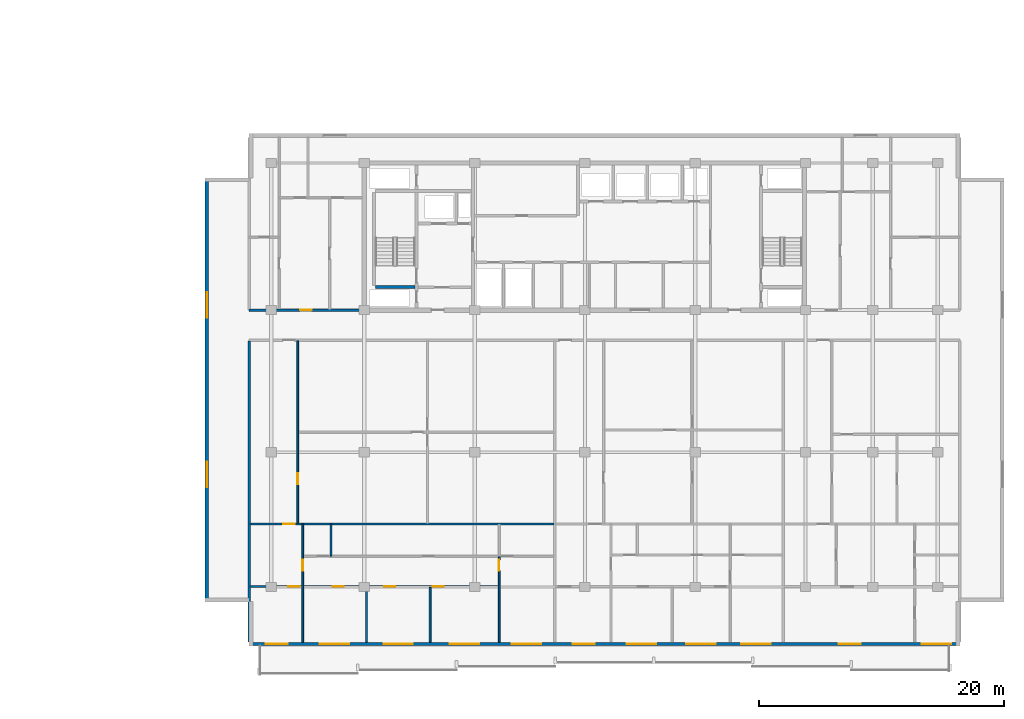
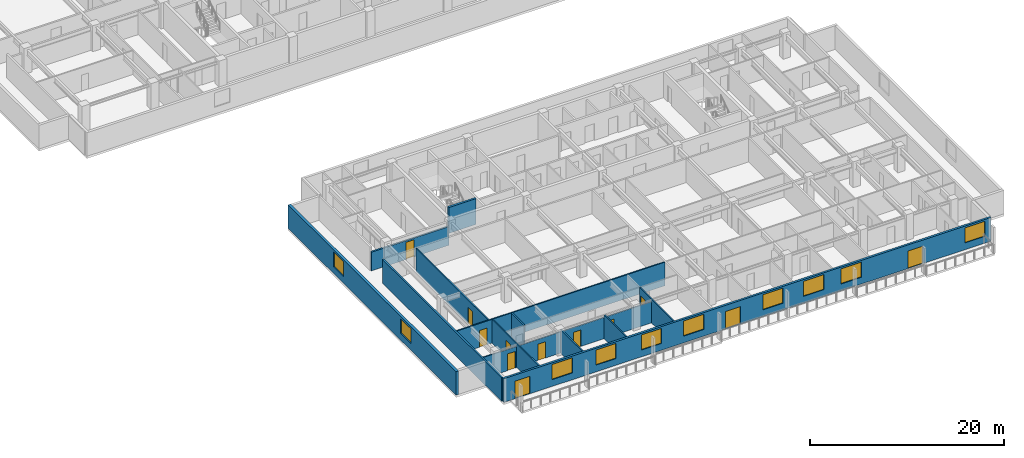
# One storey, part 4 of 22: 13 walls, 12 doors, 10 windows, 22 openings.
"""IFC4 building model written with IfcOpenShell, lengths in metres."""

import ifcopenshell
import ifcopenshell.guid

model = None  # the IFC model being written
_history = None  # IfcOwnerHistory: only IFC2X3 demands one
_inside = {}  # id of a spatial element -> (the spatial element, [elements in it])
_under = {}  # id of a project, library or spatial element -> (it, [spatial elements below it])
_declared = {}  # id of a project -> (the project, [libraries it declares])
_typed = {}  # id of a type object -> (the type object, [elements of that type])
_made_of = {}  # id of a material, layer set ... -> (it, [elements and type objects made of it])


def new_model(schema):
    """Start an empty IFC model of exactly this schema.

    Asked for "IFC4X3", IfcOpenShell would pick the latest addendum, in which some entities
    have other attributes; the version numbers below select the first issue.
    IFC2X3 requires an IfcOwnerHistory on every rooted entity: one is made here for all.
    """
    global model, _history
    if schema == "IFC4X3":
        model = ifcopenshell.file(schema_version=(4, 3, 0, 0))
    else:
        model = ifcopenshell.file(schema=schema)
    _inside.clear()
    _under.clear()
    _declared.clear()
    _typed.clear()
    _made_of.clear()
    _history = None
    if model.schema == "IFC2X3":
        org = make("IfcOrganization", Name="unknown")
        user = make(
            "IfcPersonAndOrganization",
            ThePerson=make("IfcPerson", FamilyName="unknown"),
            TheOrganization=org,
        )
        app = make(
            "IfcApplication",
            ApplicationDeveloper=org,
            Version="unknown",
            ApplicationFullName="unknown",
            ApplicationIdentifier="unknown",
        )
        _history = make(
            "IfcOwnerHistory",
            OwningUser=user,
            OwningApplication=app,
            ChangeAction="ADDED",
            CreationDate=0,
        )
    return model


def make(cls, **values):
    """One entity of the class cls with the attributes given. An attribute that is None is left unset."""
    return model.create_entity(
        cls, **{name: value for name, value in values.items() if value is not None}
    )


def rooted(cls, **values):
    """An entity with a GlobalId (a new one), such as an element, a storey or a relation."""
    return make(cls, GlobalId=ifcopenshell.guid.new(), OwnerHistory=_history, **values)


def si_unit(unit_type, name, prefix=None):
    """IfcSIUnit, for example si_unit("LENGTHUNIT", "METRE", prefix="MILLI")."""
    return make("IfcSIUnit", UnitType=unit_type, Prefix=prefix, Name=name)


def assignment(units):
    """IfcUnitAssignment: the units of a project."""
    return None if units is None else make("IfcUnitAssignment", Units=units)


def point(xyz):
    """IfcCartesianPoint."""
    return None if xyz is None else make("IfcCartesianPoint", Coordinates=xyz)


def direction(xyz):
    """IfcDirection."""
    return None if xyz is None else make("IfcDirection", DirectionRatios=xyz)


def frame(location, z_axis=None, x_axis=None):
    """IfcAxis2Placement3D, a coordinate frame: its origin and axes. An axis left out is left unset."""
    return make(
        "IfcAxis2Placement3D",
        Location=point(location),
        Axis=direction(z_axis),
        RefDirection=direction(x_axis),
    )


def frame_2d(location, x_axis=None):
    """IfcAxis2Placement2D, a coordinate frame in the plane: its origin and x axis."""
    return make(
        "IfcAxis2Placement2D", Location=point(location), RefDirection=direction(x_axis)
    )


def origin():
    """The frame at (0, 0, 0) with its axes left unset."""
    return frame((0.0, 0.0, 0.0))


def place(relative_to, where):
    """IfcLocalPlacement: puts the frame where relative to a parent placement (None: the world)."""
    return make(
        "IfcLocalPlacement", PlacementRelTo=relative_to, RelativePlacement=where
    )


def context(
    kind, dimensions, precision=None, world=None, true_north=None, identifier=None
):
    """IfcGeometricRepresentationContext, for example the 3D "Model" context."""
    return make(
        "IfcGeometricRepresentationContext",
        ContextIdentifier=identifier,
        ContextType=kind,
        CoordinateSpaceDimension=dimensions,
        Precision=precision,
        WorldCoordinateSystem=world,
        TrueNorth=true_north,
    )


def subcontext(parent, identifier, kind, view, scale=None):
    """IfcGeometricRepresentationSubContext, for example "Body" below "Model"."""
    return make(
        "IfcGeometricRepresentationSubContext",
        ContextIdentifier=identifier,
        ContextType=kind,
        ParentContext=parent,
        TargetScale=scale,
        TargetView=view,
    )


def project(units=None, contexts=None):
    """IfcProject with its units and contexts."""
    return rooted(
        "IfcProject",
        Name="project",
        RepresentationContexts=contexts,
        UnitsInContext=assignment(units),
    )


def spatial(cls, under=None, at=None, **own):
    """A site, building, storey or space (cls), placed at a placement, below another one or the project."""
    s = rooted(cls, ObjectPlacement=at, **own)
    if under is not None:
        _under.setdefault(under.id(), (under, []))[1].append(s)
    return s


def profile(cls, at=None, kind="AREA", **sizes):
    """A parametric profile (cls). Its sizes go by their IFC names, for example OverallWidth=200.0."""
    return make(cls, ProfileType=kind, Position=at, **sizes)


def rectangle(**sizes):
    """IfcRectangleProfileDef."""
    return profile("IfcRectangleProfileDef", **sizes)


def extrude(swept, where, along, depth):
    """IfcExtrudedAreaSolid: the profile swept, set in the frame where, extruded along a direction by depth."""
    return make(
        "IfcExtrudedAreaSolid",
        SweptArea=swept,
        Position=where,
        ExtrudedDirection=direction(along),
        Depth=depth,
    )


def shape(context_of_items, identifier, shape_type, items):
    """IfcShapeRepresentation: the items that make up one representation, for example the "Body"."""
    return make(
        "IfcShapeRepresentation",
        ContextOfItems=context_of_items,
        RepresentationIdentifier=identifier,
        RepresentationType=shape_type,
        Items=items,
    )


def material(Name=None, Category=None):
    """IfcMaterial."""
    return make("IfcMaterial", Name=Name, Category=Category)


def layer(
    of_material, thickness, ventilated=None, Name=None, Category=None, Priority=None
):
    """IfcMaterialLayer: one layer of a wall or slab, of a material (None: an air gap)."""
    return make(
        "IfcMaterialLayer",
        Material=of_material,
        LayerThickness=thickness,
        IsVentilated=ventilated,
        Name=Name,
        Category=Category,
        Priority=Priority,
    )


def layer_set(layers, Name=None):
    """IfcMaterialLayerSet."""
    return make("IfcMaterialLayerSet", MaterialLayers=layers, LayerSetName=Name)


def made_of(thing, what):
    """Note that an element or type object is made of a material, layer set ...; save() writes the relation."""
    if what is not None:
        _made_of.setdefault(what.id(), (what, []))[1].append(thing)
    return thing


def type_object(cls, material=None, **own):
    """A type object (cls), such as IfcWallType, which elements share."""
    return made_of(rooted(cls, **own), material)


def element(
    cls,
    number,
    at=None,
    inside=None,
    cuts=None,
    type_object=None,
    material=None,
    context=None,
    identifier="Body",
    shape_type=None,
    held_by="IfcProductDefinitionShape",
    body=None,
    shapes=None,
    **own,
):
    """One element of the class cls, such as IfcWall. Its Tag is "e" and its number.

    at: its placement. inside: the storey or other place that contains it. cuts: it is an
    opening in that element (IfcRelVoidsElement). A single representation is given by context,
    identifier, shape_type and body (its items); several are given by shapes. held_by: the class
    of the entity that holds the representations. save() writes the other relations.
    """
    e = rooted(cls, Tag="e%d" % number, ObjectPlacement=at, **own)
    if body is not None:
        shapes = [shape(context, identifier, shape_type, body)]
    if shapes is not None:
        e.Representation = make(held_by, Representations=shapes)
    if inside is not None:
        _inside.setdefault(inside.id(), (inside, []))[1].append(e)
    if cuts is not None:
        rooted(
            "IfcRelVoidsElement", RelatingBuildingElement=cuts, RelatedOpeningElement=e
        )
    if type_object is not None:
        _typed.setdefault(type_object.id(), (type_object, []))[1].append(e)
    return made_of(e, material)


def fill(opening, filler):
    """IfcRelFillsElement: the door or window that sits in an opening."""
    return rooted(
        "IfcRelFillsElement",
        RelatingOpeningElement=opening,
        RelatedBuildingElement=filler,
    )


def aggregate(whole, parts):
    """IfcRelAggregates: a whole, such as a stair, and the parts it consists of."""
    return rooted("IfcRelAggregates", RelatingObject=whole, RelatedObjects=parts)


def save(model, path):
    """Write the relations noted so far, then the file.

    IfcRelAggregates (storeys below a building ...), IfcRelContainedInSpatialStructure (elements
    in a storey), IfcRelDefinesByType, IfcRelAssociatesMaterial and IfcRelDeclares: one each for
    every whole, place, type object, material and project.
    """
    for whole, parts in _under.values():
        aggregate(whole, parts)
    for where, things in _inside.values():
        rooted(
            "IfcRelContainedInSpatialStructure",
            RelatedElements=things,
            RelatingStructure=where,
        )
    for kind, things in _typed.values():
        rooted("IfcRelDefinesByType", RelatedObjects=things, RelatingType=kind)
    for what, things in _made_of.values():
        rooted("IfcRelAssociatesMaterial", RelatedObjects=things, RelatingMaterial=what)
    for by, libraries in _declared.values():
        rooted("IfcRelDeclares", RelatingContext=by, RelatedDefinitions=libraries)
    model.write(path)


model = new_model("IFC4")

# Units and contexts
model_context = context("Model", 3, precision=1e-05, world=origin(), true_north=direction((0.0, 1.0)))
body_context = subcontext(model_context, "Body", "Model", "MODEL_VIEW")
ifc_project = project(units=[si_unit("LENGTHUNIT", "METRE"), si_unit("AREAUNIT", "SQUARE_METRE"), si_unit("VOLUMEUNIT", "CUBIC_METRE"), si_unit("PLANEANGLEUNIT", "RADIAN"), si_unit("MASSUNIT", "GRAM", prefix="KILO")], contexts=[model_context])

# Site, building, storey
site_placement = place(None, origin())
site = spatial("IfcSite", under=ifc_project, at=site_placement, CompositionType="ELEMENT")
building_placement = place(site_placement, origin())
building = spatial("IfcBuilding", under=site, at=building_placement, Name="Korimba Cascade Residences", CompositionType="ELEMENT")
storey_placement = place(building_placement, frame((0.0, 0.0, 126.300048828125)))
storey = spatial("IfcBuildingStorey", under=building, at=storey_placement, Name="L36", CompositionType="ELEMENT", Elevation=126.300048828125)

# Wall, openings, doors, windows
ifc_material_1 = material(Name="Precast concrete C40/50", Category="concrete")
ifc_layer_1 = layer(ifc_material_1, 0.25)
ifc_layer_set_1 = layer_set([ifc_layer_1], Name="Precast concrete C40/50")
wall_type_1 = type_object("IfcWallType", Name="EW-LOG-250", PredefinedType="STANDARD", material=ifc_layer_set_1)
wall_1_placement = place(storey_placement, frame((72.699951171875, -8.85009765625, 0.0), z_axis=(0.0, 0.0, 1.0), x_axis=(1.0, 0.0, 0.0)))
wall_1 = element("IfcWall", 1, at=wall_1_placement, inside=storey, type_object=wall_type_1, Name="L36 T2 Perimeter Stone Wall E00", PredefinedType="STANDARD", context=body_context, shape_type="SweptSolid", body=[
    extrude(rectangle(XDim=58.0, YDim=0.25, at=frame_2d((29.0, 0.0))), origin(), (0.0, 0.0, 1.0), 2.969970703125),
])
opening_1_placement = place(wall_1_placement, frame((5.77001953125, 0.0, 0.85009765625)))
opening_1 = element("IfcOpeningElement", 2, at=opening_1_placement, cuts=wall_1, Name="Opening W-01", PredefinedType="OPENING", context=body_context, shape_type="SweptSolid", body=[
    extrude(rectangle(XDim=2.39990234375, YDim=1.89990234375, at=frame_2d((1.199951171875, 0.949951171875))), frame((0.0, 0.135009765625, 0.0), z_axis=(0.0, -1.0, 0.0), x_axis=(1.0, 0.0, 0.0)), (0.0, 0.0, 1.0), 0.27001953125),
])
opening_2_placement = place(wall_1_placement, frame((10.969970703125, 0.0, 0.85009765625)))
opening_2 = element("IfcOpeningElement", 3, at=opening_2_placement, cuts=wall_1, Name="Opening W-01", PredefinedType="OPENING", context=body_context, shape_type="SweptSolid", body=[
    extrude(rectangle(XDim=2.39990234375, YDim=1.89990234375, at=frame_2d((1.199951171875, 0.949951171875))), frame((0.0, 0.135009765625, 0.0), z_axis=(0.0, -1.0, 0.0), x_axis=(1.0, 0.0, 0.0)), (0.0, 0.0, 1.0), 0.27001953125),
])
opening_3_placement = place(wall_1_placement, frame((16.38720703125, 0.0, 0.85009765625)))
opening_3 = element("IfcOpeningElement", 4, at=opening_3_placement, cuts=wall_1, Name="Opening W-01", PredefinedType="OPENING", context=body_context, shape_type="SweptSolid", body=[
    extrude(rectangle(XDim=2.39990234375, YDim=1.89990234375, at=frame_2d((1.199951171875, 0.949951171875))), frame((0.0, 0.135009765625, 0.0), z_axis=(0.0, -1.0, 0.0), x_axis=(1.0, 0.0, 0.0)), (0.0, 0.0, 1.0), 0.27001953125),
])
opening_4_placement = place(wall_1_placement, frame((1.344970703125, 0.0, 0.0)))
opening_4 = element("IfcOpeningElement", 5, at=opening_4_placement, cuts=wall_1, Name="Opening D-LG1", PredefinedType="OPENING", context=body_context, shape_type="SweptSolid", body=[
    extrude(rectangle(XDim=1.800048828125, YDim=2.199951171875, at=frame_2d((0.89990234375, 1.10009765625))), frame((0.0, 0.135009765625, 0.0), z_axis=(0.0, -1.0, 0.0), x_axis=(1.0, 0.0, 0.0)), (0.0, 0.0, 1.0), 0.27001953125),
])
opening_5_placement = place(wall_1_placement, frame((21.41943359375, 0.0, 0.85009765625)))
opening_5 = element("IfcOpeningElement", 6, at=opening_5_placement, cuts=wall_1, Name="Opening W-01", PredefinedType="OPENING", context=body_context, shape_type="SweptSolid", body=[
    extrude(rectangle(XDim=2.39990234375, YDim=1.89990234375, at=frame_2d((1.199951171875, 0.949951171875))), frame((0.0, 0.135009765625, 0.0), z_axis=(0.0, -1.0, 0.0), x_axis=(1.0, 0.0, 0.0)), (0.0, 0.0, 1.0), 0.27001953125),
])
opening_6_placement = place(wall_1_placement, frame((30.8271484375, 0.0, 0.85009765625)))
opening_6 = element("IfcOpeningElement", 7, at=opening_6_placement, cuts=wall_1, Name="Opening W-01", PredefinedType="OPENING", context=body_context, shape_type="SweptSolid", body=[
    extrude(rectangle(XDim=2.39990234375, YDim=1.89990234375, at=frame_2d((1.199951171875, 0.949951171875))), frame((0.0, 0.135009765625, 0.0), z_axis=(0.0, -1.0, 0.0), x_axis=(1.0, 0.0, 0.0)), (0.0, 0.0, 1.0), 0.27001953125),
])
opening_7_placement = place(wall_1_placement, frame((35.68798828125, 0.0, 0.85009765625)))
opening_7 = element("IfcOpeningElement", 8, at=opening_7_placement, cuts=wall_1, Name="Opening W-01", PredefinedType="OPENING", context=body_context, shape_type="SweptSolid", body=[
    extrude(rectangle(XDim=2.39990234375, YDim=1.89990234375, at=frame_2d((1.199951171875, 0.949951171875))), frame((0.0, 0.135009765625, 0.0), z_axis=(0.0, -1.0, 0.0), x_axis=(1.0, 0.0, 0.0)), (0.0, 0.0, 1.0), 0.27001953125),
])
opening_8_placement = place(wall_1_placement, frame((26.404541015625, 0.0, 0.0)))
opening_8 = element("IfcOpeningElement", 9, at=opening_8_placement, cuts=wall_1, Name="Opening D-LG1", PredefinedType="OPENING", context=body_context, shape_type="SweptSolid", body=[
    extrude(rectangle(XDim=1.800048828125, YDim=2.199951171875, at=frame_2d((0.89990234375, 1.10009765625))), frame((0.0, 0.135009765625, 0.0), z_axis=(0.0, -1.0, 0.0), x_axis=(1.0, 0.0, 0.0)), (0.0, 0.0, 1.0), 0.27001953125),
])
opening_9_placement = place(wall_1_placement, frame((40.161376953125, 0.0, 0.85009765625)))
opening_9 = element("IfcOpeningElement", 10, at=opening_9_placement, cuts=wall_1, Name="Opening W-01", PredefinedType="OPENING", context=body_context, shape_type="SweptSolid", body=[
    extrude(rectangle(XDim=2.39990234375, YDim=1.89990234375, at=frame_2d((1.199951171875, 0.949951171875))), frame((0.0, 0.135009765625, 0.0), z_axis=(0.0, -1.0, 0.0), x_axis=(1.0, 0.0, 0.0)), (0.0, 0.0, 1.0), 0.27001953125),
])
opening_10_placement = place(wall_1_placement, frame((48.113037109375, 0.0, 0.0)))
opening_10 = element("IfcOpeningElement", 11, at=opening_10_placement, cuts=wall_1, Name="Opening D-LG1", PredefinedType="OPENING", context=body_context, shape_type="SweptSolid", body=[
    extrude(rectangle(XDim=1.800048828125, YDim=2.199951171875, at=frame_2d((0.89990234375, 1.10009765625))), frame((0.0, 0.135009765625, 0.0), z_axis=(0.0, -1.0, 0.0), x_axis=(1.0, 0.0, 0.0)), (0.0, 0.0, 1.0), 0.27001953125),
])
opening_11_placement = place(wall_1_placement, frame((54.89990234375, 0.0, 0.85009765625)))
opening_11 = element("IfcOpeningElement", 12, at=opening_11_placement, cuts=wall_1, Name="Opening W-01", PredefinedType="OPENING", context=body_context, shape_type="SweptSolid", body=[
    extrude(rectangle(XDim=2.39990234375, YDim=1.89990234375, at=frame_2d((1.199951171875, 0.949951171875))), frame((0.0, 0.135009765625, 0.0), z_axis=(0.0, -1.0, 0.0), x_axis=(1.0, 0.0, 0.0)), (0.0, 0.0, 1.0), 0.27001953125),
])
ifc_material_2 = material(Name="Glazed Aluminium Loggia Sliding Door", Category="aluminium")
door_type_1 = type_object("IfcDoorType", Name="DR-EXT-LOG", OperationType="NOTDEFINED", PredefinedType="DOOR", material=ifc_material_2)
door_1_placement = place(opening_4_placement, origin())
door_1 = element("IfcDoor", 13, at=door_1_placement, inside=storey, type_object=door_type_1, Name="L36 T2 Loggia Sliding Door 6", OperationType="SLIDING_TO_RIGHT", OverallHeight=2.199951171875, OverallWidth=1.800048828125, PredefinedType="DOOR", context=body_context, shape_type="SweptSolid", body=[
    extrude(rectangle(XDim=1.800048828125, YDim=2.199951171875, at=frame_2d((0.89990234375, 1.10009765625))), frame((0.0, 0.02490234375, 0.0), z_axis=(0.0, -1.0, 0.0), x_axis=(1.0, 0.0, 0.0)), (0.0, 0.0, 1.0), 0.050048828125),
])
fill(opening_4, door_1)
door_2_placement = place(opening_8_placement, origin())
door_2 = element("IfcDoor", 14, at=door_2_placement, inside=storey, type_object=door_type_1, Name="L36 T2 Loggia Sliding Door 10", OperationType="SLIDING_TO_RIGHT", OverallHeight=2.199951171875, OverallWidth=1.800048828125, PredefinedType="DOOR", context=body_context, shape_type="SweptSolid", body=[
    extrude(rectangle(XDim=1.800048828125, YDim=2.199951171875, at=frame_2d((0.89990234375, 1.10009765625))), frame((0.0, 0.02490234375, 0.0), z_axis=(0.0, -1.0, 0.0), x_axis=(1.0, 0.0, 0.0)), (0.0, 0.0, 1.0), 0.050048828125),
])
fill(opening_8, door_2)
door_3_placement = place(opening_10_placement, origin())
door_3 = element("IfcDoor", 15, at=door_3_placement, inside=storey, type_object=door_type_1, Name="L36 T2 Loggia Sliding Door 12", OperationType="SLIDING_TO_RIGHT", OverallHeight=2.199951171875, OverallWidth=1.800048828125, PredefinedType="DOOR", context=body_context, shape_type="SweptSolid", body=[
    extrude(rectangle(XDim=1.800048828125, YDim=2.199951171875, at=frame_2d((0.89990234375, 1.10009765625))), frame((0.0, 0.02490234375, 0.0), z_axis=(0.0, -1.0, 0.0), x_axis=(1.0, 0.0, 0.0)), (0.0, 0.0, 1.0), 0.050048828125),
])
fill(opening_10, door_3)
ifc_material_3 = material(Name="Double-Glazed Aluminium Window", Category="aluminium")
window_type_1 = type_object("IfcWindowType", Name="WIN-RES-2400", PartitioningType="DOUBLE_PANEL_VERTICAL", PredefinedType="WINDOW", material=ifc_material_3)
window_1_placement = place(opening_1_placement, origin())
window_1 = element("IfcWindow", 16, at=window_1_placement, inside=storey, type_object=window_type_1, Name="L36 T2 South Facade Window 3", OverallHeight=1.89990234375, OverallWidth=2.39990234375, PartitioningType="DOUBLE_PANEL_VERTICAL", PredefinedType="WINDOW", context=body_context, shape_type="SweptSolid", body=[
    extrude(rectangle(XDim=2.39990234375, YDim=1.89990234375, at=frame_2d((1.199951171875, 0.949951171875))), frame((0.0, 0.030029296875, 0.0), z_axis=(0.0, -1.0, 0.0), x_axis=(1.0, 0.0, 0.0)), (0.0, 0.0, 1.0), 0.06005859375),
])
fill(opening_1, window_1)
window_2_placement = place(opening_2_placement, origin())
window_2 = element("IfcWindow", 17, at=window_2_placement, inside=storey, type_object=window_type_1, Name="L36 T2 South Facade Window 4", OverallHeight=1.89990234375, OverallWidth=2.39990234375, PartitioningType="DOUBLE_PANEL_VERTICAL", PredefinedType="WINDOW", context=body_context, shape_type="SweptSolid", body=[
    extrude(rectangle(XDim=2.39990234375, YDim=1.89990234375, at=frame_2d((1.199951171875, 0.949951171875))), frame((0.0, 0.030029296875, 0.0), z_axis=(0.0, -1.0, 0.0), x_axis=(1.0, 0.0, 0.0)), (0.0, 0.0, 1.0), 0.06005859375),
])
fill(opening_2, window_2)
window_3_placement = place(opening_3_placement, origin())
window_3 = element("IfcWindow", 18, at=window_3_placement, inside=storey, type_object=window_type_1, Name="L36 T2 South Facade Window 5", OverallHeight=1.89990234375, OverallWidth=2.39990234375, PartitioningType="DOUBLE_PANEL_VERTICAL", PredefinedType="WINDOW", context=body_context, shape_type="SweptSolid", body=[
    extrude(rectangle(XDim=2.39990234375, YDim=1.89990234375, at=frame_2d((1.199951171875, 0.949951171875))), frame((0.0, 0.030029296875, 0.0), z_axis=(0.0, -1.0, 0.0), x_axis=(1.0, 0.0, 0.0)), (0.0, 0.0, 1.0), 0.06005859375),
])
fill(opening_3, window_3)
window_4_placement = place(opening_5_placement, origin())
window_4 = element("IfcWindow", 19, at=window_4_placement, inside=storey, type_object=window_type_1, Name="L36 T2 South Facade Window 7", OverallHeight=1.89990234375, OverallWidth=2.39990234375, PartitioningType="DOUBLE_PANEL_VERTICAL", PredefinedType="WINDOW", context=body_context, shape_type="SweptSolid", body=[
    extrude(rectangle(XDim=2.39990234375, YDim=1.89990234375, at=frame_2d((1.199951171875, 0.949951171875))), frame((0.0, 0.030029296875, 0.0), z_axis=(0.0, -1.0, 0.0), x_axis=(1.0, 0.0, 0.0)), (0.0, 0.0, 1.0), 0.06005859375),
])
fill(opening_5, window_4)
window_5_placement = place(opening_6_placement, origin())
window_5 = element("IfcWindow", 20, at=window_5_placement, inside=storey, type_object=window_type_1, Name="L36 T2 South Facade Window 8", OverallHeight=1.89990234375, OverallWidth=2.39990234375, PartitioningType="DOUBLE_PANEL_VERTICAL", PredefinedType="WINDOW", context=body_context, shape_type="SweptSolid", body=[
    extrude(rectangle(XDim=2.39990234375, YDim=1.89990234375, at=frame_2d((1.199951171875, 0.949951171875))), frame((0.0, 0.030029296875, 0.0), z_axis=(0.0, -1.0, 0.0), x_axis=(1.0, 0.0, 0.0)), (0.0, 0.0, 1.0), 0.06005859375),
])
fill(opening_6, window_5)
window_6_placement = place(opening_7_placement, origin())
window_6 = element("IfcWindow", 21, at=window_6_placement, inside=storey, type_object=window_type_1, Name="L36 T2 South Facade Window 9", OverallHeight=1.89990234375, OverallWidth=2.39990234375, PartitioningType="DOUBLE_PANEL_VERTICAL", PredefinedType="WINDOW", context=body_context, shape_type="SweptSolid", body=[
    extrude(rectangle(XDim=2.39990234375, YDim=1.89990234375, at=frame_2d((1.199951171875, 0.949951171875))), frame((0.0, 0.030029296875, 0.0), z_axis=(0.0, -1.0, 0.0), x_axis=(1.0, 0.0, 0.0)), (0.0, 0.0, 1.0), 0.06005859375),
])
fill(opening_7, window_6)
window_7_placement = place(opening_9_placement, origin())
window_7 = element("IfcWindow", 22, at=window_7_placement, inside=storey, type_object=window_type_1, Name="L36 T2 South Facade Window 11", OverallHeight=1.89990234375, OverallWidth=2.39990234375, PartitioningType="DOUBLE_PANEL_VERTICAL", PredefinedType="WINDOW", context=body_context, shape_type="SweptSolid", body=[
    extrude(rectangle(XDim=2.39990234375, YDim=1.89990234375, at=frame_2d((1.199951171875, 0.949951171875))), frame((0.0, 0.030029296875, 0.0), z_axis=(0.0, -1.0, 0.0), x_axis=(1.0, 0.0, 0.0)), (0.0, 0.0, 1.0), 0.06005859375),
])
fill(opening_9, window_7)
window_8_placement = place(opening_11_placement, origin())
window_8 = element("IfcWindow", 23, at=window_8_placement, inside=storey, type_object=window_type_1, Name="L36 T2 South Facade Window 13", OverallHeight=1.89990234375, OverallWidth=2.39990234375, PartitioningType="DOUBLE_PANEL_VERTICAL", PredefinedType="WINDOW", context=body_context, shape_type="SweptSolid", body=[
    extrude(rectangle(XDim=2.39990234375, YDim=1.89990234375, at=frame_2d((1.199951171875, 0.949951171875))), frame((0.0, 0.030029296875, 0.0), z_axis=(0.0, -1.0, 0.0), x_axis=(1.0, 0.0, 0.0)), (0.0, 0.0, 1.0), 0.06005859375),
])
fill(opening_11, window_8)

# Wall, openings, windows
ifc_layer_2 = layer(ifc_material_1, 0.300048828125)
ifc_layer_set_2 = layer_set([ifc_layer_2], Name="Precast concrete C40/50")
wall_type_2 = type_object("IfcWallType", Name="EW-STONE-300", PredefinedType="STANDARD", material=ifc_layer_set_2)
wall_2_placement = place(storey_placement, frame((69.25, 29.199951171875, 0.0), z_axis=(0.0, 0.0, 1.0), x_axis=(0.0, -1.0, 0.0)))
wall_2 = element("IfcWall", 24, at=wall_2_placement, inside=storey, type_object=wall_type_2, Name="L36 T2 Perimeter Stone Wall E09", PredefinedType="STANDARD", context=body_context, shape_type="SweptSolid", body=[
    extrude(rectangle(XDim=34.599853515625, YDim=0.300048828125, at=frame_2d((17.2998046875, 0.0))), origin(), (0.0, 0.0, 1.0), 2.969970703125),
])
opening_12_placement = place(wall_2_placement, frame((9.330078125, 0.0, 0.85009765625)))
opening_12 = element("IfcOpeningElement", 25, at=opening_12_placement, cuts=wall_2, Name="Opening W-03", PredefinedType="OPENING", context=body_context, shape_type="SweptSolid", body=[
    extrude(rectangle(XDim=2.10009765625, YDim=1.85009765625, at=frame_2d((1.050048828125, 0.925048828125))), frame((0.0, 0.16015625, 0.0), z_axis=(0.0, -1.0, 0.0), x_axis=(1.0, 0.0, 0.0)), (0.0, 0.0, 1.0), 0.320068359375),
])
opening_13_placement = place(wall_2_placement, frame((23.169921875, 0.0, 0.85009765625)))
opening_13 = element("IfcOpeningElement", 26, at=opening_13_placement, cuts=wall_2, Name="Opening W-03", PredefinedType="OPENING", context=body_context, shape_type="SweptSolid", body=[
    extrude(rectangle(XDim=2.10009765625, YDim=1.85009765625, at=frame_2d((1.050048828125, 0.925048828125))), frame((0.0, 0.16015625, 0.0), z_axis=(0.0, -1.0, 0.0), x_axis=(1.0, 0.0, 0.0)), (0.0, 0.0, 1.0), 0.320068359375),
])
window_type_2 = type_object("IfcWindowType", Name="WIN-CRN-2100", PartitioningType="DOUBLE_PANEL_HORIZONTAL", PredefinedType="WINDOW", material=ifc_material_3)
window_9_placement = place(opening_12_placement, origin())
window_9 = element("IfcWindow", 27, at=window_9_placement, inside=storey, type_object=window_type_2, Name="L36 T2 End View Window 9.1", OverallHeight=1.85009765625, OverallWidth=2.10009765625, PartitioningType="DOUBLE_PANEL_HORIZONTAL", PredefinedType="WINDOW", context=body_context, shape_type="SweptSolid", body=[
    extrude(rectangle(XDim=2.10009765625, YDim=1.85009765625, at=frame_2d((1.050048828125, 0.925048828125))), frame((0.0, 0.030029296875, 0.0), z_axis=(0.0, -1.0, 0.0), x_axis=(1.0, 0.0, 0.0)), (0.0, 0.0, 1.0), 0.06005859375),
])
fill(opening_12, window_9)
window_10_placement = place(opening_13_placement, origin())
window_10 = element("IfcWindow", 28, at=window_10_placement, inside=storey, type_object=window_type_2, Name="L36 T2 End View Window 9.2", OverallHeight=1.85009765625, OverallWidth=2.10009765625, PartitioningType="DOUBLE_PANEL_HORIZONTAL", PredefinedType="WINDOW", context=body_context, shape_type="SweptSolid", body=[
    extrude(rectangle(XDim=2.10009765625, YDim=1.85009765625, at=frame_2d((1.050048828125, 0.925048828125))), frame((0.0, 0.030029296875, 0.0), z_axis=(0.0, -1.0, 0.0), x_axis=(1.0, 0.0, 0.0)), (0.0, 0.0, 1.0), 0.06005859375),
])
fill(opening_13, window_10)

# Wall, opening, door
ifc_layer_3 = layer(ifc_material_1, 0.199951171875)
ifc_layer_set_3 = layer_set([ifc_layer_3], Name="Precast concrete C40/50")
wall_type_3 = type_object("IfcWallType", Name="WAL-IT-200", PredefinedType="PARTITIONING", material=ifc_layer_set_3)
wall_3_placement = place(storey_placement, frame((72.699951171875, 18.39990234375, 0.0), z_axis=(0.0, 0.0, 1.0), x_axis=(1.0, 0.0, 0.0)))
wall_3 = element("IfcWall", 29, at=wall_3_placement, inside=storey, type_object=wall_type_3, Name="L36 Partition Wall WAL-L36-T2-FW-S", PredefinedType="PARTITIONING", context=body_context, shape_type="SweptSolid", body=[
    extrude(rectangle(XDim=9.25, YDim=0.199951171875, at=frame_2d((4.625, 0.0))), origin(), (0.0, 0.0, 1.0), 2.357666015625),
])
opening_14_placement = place(wall_3_placement, frame((4.14990234375, 0.0, 0.0)))
opening_14 = element("IfcOpeningElement", 30, at=opening_14_placement, cuts=wall_3, Name="Opening D-UN1", PredefinedType="OPENING", context=body_context, shape_type="SweptSolid", body=[
    extrude(rectangle(XDim=0.949951171875, YDim=2.14990234375, at=frame_2d((0.47509765625, 1.074951171875))), frame((0.0, 0.10986328125, 0.0), z_axis=(0.0, -1.0, 0.0), x_axis=(1.0, 0.0, 0.0)), (0.0, 0.0, 1.0), 0.219970703125),
])
ifc_material_4 = material(Name="Fire-Rated Hardwood Apartment Entrance Door", Category="wood")
door_type_2 = type_object("IfcDoorType", Name="DR-FD60-950", OperationType="NOTDEFINED", PredefinedType="DOOR", material=ifc_material_4)
door_4_placement = place(opening_14_placement, origin())
door_4 = element("IfcDoor", 31, at=door_4_placement, inside=storey, type_object=door_type_2, Name="L36-T2-FW Entrance Door", OperationType="SINGLE_SWING_RIGHT", OverallHeight=2.14990234375, OverallWidth=0.949951171875, PredefinedType="DOOR", context=body_context, shape_type="SweptSolid", body=[
    extrude(rectangle(XDim=0.949951171875, YDim=2.14990234375, at=frame_2d((0.47509765625, 1.074951171875))), frame((0.0, 0.02490234375, 0.0), z_axis=(0.0, -1.0, 0.0), x_axis=(1.0, 0.0, 0.0)), (0.0, 0.0, 1.0), 0.050048828125),
])
fill(opening_14, door_4)

# Wall
wall_4_placement = place(storey_placement, frame((72.699951171875, -8.699951171875, 0.0), z_axis=(0.0, 0.0, 1.0), x_axis=(0.0, 1.0, 0.0)))
element("IfcWall", 32, at=wall_4_placement, inside=storey, type_object=wall_type_3, Name="L36 Partition Wall WAL-L36-T2-BNDWL", PredefinedType="PARTITIONING", context=body_context, shape_type="SweptSolid", body=[
    extrude(rectangle(XDim=24.570068359375, YDim=0.199951171875, at=frame_2d((12.28515625, 0.0))), origin(), (0.0, 0.0, 1.0), 2.969970703125),
])

# Wall, opening, door
ifc_material_5 = material(Name="Insulated Acoustic Stud Partition", Category="gypsum")
ifc_layer_4 = layer(ifc_material_5, 0.14990234375)
ifc_layer_set_4 = layer_set([ifc_layer_4], Name="Insulated Acoustic Stud Partition")
wall_type_4 = type_object("IfcWallType", Name="WAL-PART-150", PredefinedType="PARTITIONING", material=ifc_layer_set_4)
wall_5_placement = place(storey_placement, frame((76.669921875, 0.989990234375, 0.0), z_axis=(0.0, 0.0, 1.0), x_axis=(0.0, 1.0, 0.0)))
wall_5 = element("IfcWall", 33, at=wall_5_placement, inside=storey, type_object=wall_type_4, Name="L36 Partition Wall WAL-L36-T2-U01-FV", PredefinedType="PARTITIONING", context=body_context, shape_type="SweptSolid", body=[
    extrude(rectangle(XDim=14.89990234375, YDim=0.14990234375, at=frame_2d((7.449951171875, 0.0))), origin(), (0.0, 0.0, 1.0), 2.969970703125),
])
opening_15_placement = place(wall_5_placement, frame((3.215576171875, 0.0, 0.0)))
opening_15 = element("IfcOpeningElement", 34, at=opening_15_placement, cuts=wall_5, Name="Opening D-IN2", PredefinedType="OPENING", context=body_context, shape_type="SweptSolid", body=[
    extrude(rectangle(XDim=0.8798828125, YDim=2.06005859375, at=frame_2d((0.43994140625, 1.030029296875))), frame((0.0, 0.0849609375, 0.0), z_axis=(0.0, -1.0, 0.0), x_axis=(1.0, 0.0, 0.0)), (0.0, 0.0, 1.0), 0.169921875),
])
ifc_material_6 = material(Name="Acoustic Timber Bedroom Door", Category="wood")
door_type_3 = type_object("IfcDoorType", Name="DR-INT-880", OperationType="NOTDEFINED", PredefinedType="DOOR", material=ifc_material_6)
door_5_placement = place(opening_15_placement, origin())
door_5 = element("IfcDoor", 35, at=door_5_placement, inside=storey, type_object=door_type_3, Name="L36-T2-U01 Media Lounge Door", OperationType="SINGLE_SWING_RIGHT", OverallHeight=2.06005859375, OverallWidth=0.8798828125, PredefinedType="DOOR", context=body_context, shape_type="SweptSolid", body=[
    extrude(rectangle(XDim=0.8798828125, YDim=2.06005859375, at=frame_2d((0.43994140625, 1.030029296875))), frame((0.0, 0.02490234375, 0.0), z_axis=(0.0, -1.0, 0.0), x_axis=(1.0, 0.0, 0.0)), (0.0, 0.0, 1.0), 0.050048828125),
])
fill(opening_15, door_5)

# Walls
wall_6_placement = place(storey_placement, frame((79.3798828125, -1.669921875, 0.0), z_axis=(0.0, 0.0, 1.0), x_axis=(0.0, 1.0, 0.0)))
element("IfcWall", 36, at=wall_6_placement, inside=storey, type_object=wall_type_4, Name="L36 Partition Wall WAL-L36-T2-U01-VDRS", PredefinedType="PARTITIONING", context=body_context, shape_type="SweptSolid", body=[
    extrude(rectangle(XDim=2.579833984375, YDim=0.14990234375, at=frame_2d((1.2900390625, 0.0))), origin(), (0.0, 0.0, 1.0), 2.969970703125),
])
for number, where, z_axis, x_axis, name in (
    (37, (82.27001953125, -8.699951171875, 0.0), (0.0, 0.0, 1.0), (0.0, 1.0, 0.0), "L36 Partition Wall WAL-L36-T2-U01-VB2"),
    (38, (87.469970703125, -8.699951171875, 0.0), (0.0, 0.0, 1.0), (0.0, 1.0, 0.0), "L36 Partition Wall WAL-L36-T2-U01-VB3"),
):
    element("IfcWall", number, at=place(storey_placement, frame(where, z_axis=z_axis, x_axis=x_axis)), inside=storey, type_object=wall_type_4, Name=name, PredefinedType="PARTITIONING", context=body_context, shape_type="SweptSolid", body=[
        extrude(rectangle(XDim=4.469970703125, YDim=0.14990234375, at=frame_2d((2.23486328125, 0.0))), origin(), (0.0, 0.0, 1.0), 2.969970703125),
    ])

# Wall, opening, door
wall_7_placement = place(storey_placement, frame((77.070068359375, -8.699951171875, 0.0), z_axis=(0.0, 0.0, 1.0), x_axis=(0.0, 1.0, 0.0)))
wall_7 = element("IfcWall", 39, at=wall_7_placement, inside=storey, type_object=wall_type_4, Name="L36 Partition Wall WAL-L36-T2-U01-V1", PredefinedType="PARTITIONING", context=body_context, shape_type="SweptSolid", body=[
    extrude(rectangle(XDim=9.60986328125, YDim=0.14990234375, at=frame_2d((4.804931640625, 0.0))), origin(), (0.0, 0.0, 1.0), 2.969970703125),
])
opening_16_placement = place(wall_7_placement, frame((5.81005859375, 0.0, 0.0)))
opening_16 = element("IfcOpeningElement", 40, at=opening_16_placement, cuts=wall_7, Name="Opening D-IN1", PredefinedType="OPENING", context=body_context, shape_type="SweptSolid", body=[
    extrude(rectangle(XDim=0.919921875, YDim=2.080078125, at=frame_2d((0.4599609375, 1.0400390625))), frame((0.0, 0.0849609375, 0.0), z_axis=(0.0, -1.0, 0.0), x_axis=(1.0, 0.0, 0.0)), (0.0, 0.0, 1.0), 0.169921875),
])
ifc_material_7 = material(Name="Acoustic Timber Living Door", Category="wood")
door_type_4 = type_object("IfcDoorType", Name="DR-INT-920", OperationType="NOTDEFINED", PredefinedType="DOOR", material=ifc_material_7)
door_6_placement = place(opening_16_placement, origin())
door_6 = element("IfcDoor", 41, at=door_6_placement, inside=storey, type_object=door_type_4, Name="L36-T2-U01 Hallway Door", OperationType="SINGLE_SWING_LEFT", OverallHeight=2.080078125, OverallWidth=0.919921875, PredefinedType="DOOR", context=body_context, shape_type="SweptSolid", body=[
    extrude(rectangle(XDim=0.919921875, YDim=2.080078125, at=frame_2d((0.4599609375, 1.0400390625))), frame((0.0, 0.02490234375, 0.0), z_axis=(0.0, -1.0, 0.0), x_axis=(1.0, 0.0, 0.0)), (0.0, 0.0, 1.0), 0.050048828125),
])
fill(opening_16, door_6)

wall_8_placement = place(storey_placement, frame((93.1044921875, -8.699951171875, 0.0), z_axis=(0.0, 0.0, 1.0), x_axis=(0.0, 1.0, 0.0)))
wall_8 = element("IfcWall", 42, at=wall_8_placement, inside=storey, type_object=wall_type_4, Name="L36 Partition Wall WAL-L36-T2-U01-V2FULL", PredefinedType="PARTITIONING", context=body_context, shape_type="SweptSolid", body=[
    extrude(rectangle(XDim=6.989990234375, YDim=0.14990234375, at=frame_2d((3.4951171875, 0.0))), origin(), (0.0, 0.0, 1.0), 2.969970703125),
])
opening_17_placement = place(wall_8_placement, frame((5.81005859375, 0.0, 0.0)))
opening_17 = element("IfcOpeningElement", 43, at=opening_17_placement, cuts=wall_8, Name="Opening D-IN1", PredefinedType="OPENING", context=body_context, shape_type="SweptSolid", body=[
    extrude(rectangle(XDim=0.919921875, YDim=2.080078125, at=frame_2d((0.4599609375, 1.0400390625))), frame((0.0, 0.0849609375, 0.0), z_axis=(0.0, -1.0, 0.0), x_axis=(1.0, 0.0, 0.0)), (0.0, 0.0, 1.0), 0.169921875),
])
door_7_placement = place(opening_17_placement, origin())
door_7 = element("IfcDoor", 44, at=door_7_placement, inside=storey, type_object=door_type_4, Name="L36-T2-U01 Master Bedroom Door", OperationType="SINGLE_SWING_RIGHT", OverallHeight=2.080078125, OverallWidth=0.919921875, PredefinedType="DOOR", context=body_context, shape_type="SweptSolid", body=[
    extrude(rectangle(XDim=0.919921875, YDim=2.080078125, at=frame_2d((0.4599609375, 1.0400390625))), frame((0.0, 0.02490234375, 0.0), z_axis=(0.0, -1.0, 0.0), x_axis=(1.0, 0.0, 0.0)), (0.0, 0.0, 1.0), 0.050048828125),
])
fill(opening_17, door_7)

wall_9_placement = place(storey_placement, frame((72.780029296875, 0.949951171875, 0.0), z_axis=(0.0, 0.0, 1.0), x_axis=(1.0, 0.0, 0.0)))
wall_9 = element("IfcWall", 45, at=wall_9_placement, inside=storey, type_object=wall_type_4, Name="L36 Partition Wall WAL-L36-T2-U01-MW", PredefinedType="PARTITIONING", context=body_context, shape_type="SweptSolid", body=[
    extrude(rectangle(XDim=24.79443359375, YDim=0.14990234375, at=frame_2d((12.397216796875, 0.0))), origin(), (0.0, 0.0, 1.0), 2.969970703125),
])
opening_18_placement = place(wall_9_placement, frame((2.719970703125, 0.0, 0.0)))
opening_18 = element("IfcOpeningElement", 46, at=opening_18_placement, cuts=wall_9, Name="Opening D-IN1", PredefinedType="OPENING", context=body_context, shape_type="SweptSolid", body=[
    extrude(rectangle(XDim=0.919921875, YDim=2.080078125, at=frame_2d((0.4599609375, 1.0400390625))), frame((0.0, 0.0849609375, 0.0), z_axis=(0.0, -1.0, 0.0), x_axis=(1.0, 0.0, 0.0)), (0.0, 0.0, 1.0), 0.169921875),
])
door_8_placement = place(opening_18_placement, origin())
door_8 = element("IfcDoor", 47, at=door_8_placement, inside=storey, type_object=door_type_4, Name="L36-T2-U01 Kitchen Door", OperationType="SINGLE_SWING_RIGHT", OverallHeight=2.080078125, OverallWidth=0.919921875, PredefinedType="DOOR", context=body_context, shape_type="SweptSolid", body=[
    extrude(rectangle(XDim=0.919921875, YDim=2.080078125, at=frame_2d((0.4599609375, 1.0400390625))), frame((0.0, 0.02490234375, 0.0), z_axis=(0.0, -1.0, 0.0), x_axis=(1.0, 0.0, 0.0)), (0.0, 0.0, 1.0), 0.050048828125),
])
fill(opening_18, door_8)

# Wall, openings, doors
wall_10_placement = place(storey_placement, frame((72.780029296875, -4.14990234375, 0.0), z_axis=(0.0, 0.0, 1.0), x_axis=(1.0, 0.0, 0.0)))
wall_10 = element("IfcWall", 48, at=wall_10_placement, inside=storey, type_object=wall_type_4, Name="L36 Partition Wall WAL-L36-T2-U01-HZ", PredefinedType="PARTITIONING", context=body_context, shape_type="SweptSolid", body=[
    extrude(rectangle(XDim=20.324462890625, YDim=0.14990234375, at=frame_2d((10.162109375, 0.0))), origin(), (0.0, 0.0, 1.0), 2.663330078125),
])
opening_19_placement = place(wall_10_placement, frame((3.10009765625, 0.0, 0.0)))
opening_19 = element("IfcOpeningElement", 49, at=opening_19_placement, cuts=wall_10, Name="Opening D-IN0", PredefinedType="OPENING", context=body_context, shape_type="SweptSolid", body=[
    extrude(rectangle(XDim=0.93994140625, YDim=2.10009765625, at=frame_2d((0.469970703125, 1.050048828125))), frame((0.0, 0.0849609375, 0.0), z_axis=(0.0, -1.0, 0.0), x_axis=(1.0, 0.0, 0.0)), (0.0, 0.0, 1.0), 0.169921875),
])
opening_20_placement = place(wall_10_placement, frame((6.760498046875, 0.0, 0.0)))
opening_20 = element("IfcOpeningElement", 50, at=opening_20_placement, cuts=wall_10, Name="Opening D-IN2", PredefinedType="OPENING", context=body_context, shape_type="SweptSolid", body=[
    extrude(rectangle(XDim=0.8798828125, YDim=2.06005859375, at=frame_2d((0.43994140625, 1.030029296875))), frame((0.0, 0.0849609375, 0.0), z_axis=(0.0, -1.0, 0.0), x_axis=(1.0, 0.0, 0.0)), (0.0, 0.0, 1.0), 0.169921875),
])
opening_21_placement = place(wall_10_placement, frame((10.95166015625, 0.0, 0.0)))
opening_21 = element("IfcOpeningElement", 51, at=opening_21_placement, cuts=wall_10, Name="Opening D-IN2", PredefinedType="OPENING", context=body_context, shape_type="SweptSolid", body=[
    extrude(rectangle(XDim=0.8798828125, YDim=2.06005859375, at=frame_2d((0.43994140625, 1.030029296875))), frame((0.0, 0.0849609375, 0.0), z_axis=(0.0, -1.0, 0.0), x_axis=(1.0, 0.0, 0.0)), (0.0, 0.0, 1.0), 0.169921875),
])
opening_22_placement = place(wall_10_placement, frame((14.909912109375, 0.0, 0.0)))
opening_22 = element("IfcOpeningElement", 52, at=opening_22_placement, cuts=wall_10, Name="Opening D-IN2", PredefinedType="OPENING", context=body_context, shape_type="SweptSolid", body=[
    extrude(rectangle(XDim=0.8798828125, YDim=2.06005859375, at=frame_2d((0.43994140625, 1.030029296875))), frame((0.0, 0.0849609375, 0.0), z_axis=(0.0, -1.0, 0.0), x_axis=(1.0, 0.0, 0.0)), (0.0, 0.0, 1.0), 0.169921875),
])
door_9_placement = place(opening_20_placement, origin())
door_9 = element("IfcDoor", 53, at=door_9_placement, inside=storey, type_object=door_type_3, Name="L36-T2-U01 Bedroom 2 Door", OperationType="SINGLE_SWING_RIGHT", OverallHeight=2.06005859375, OverallWidth=0.8798828125, PredefinedType="DOOR", context=body_context, shape_type="SweptSolid", body=[
    extrude(rectangle(XDim=0.8798828125, YDim=2.06005859375, at=frame_2d((0.43994140625, 1.030029296875))), frame((0.0, 0.02490234375, 0.0), z_axis=(0.0, -1.0, 0.0), x_axis=(1.0, 0.0, 0.0)), (0.0, 0.0, 1.0), 0.050048828125),
])
fill(opening_20, door_9)
door_10_placement = place(opening_21_placement, origin())
door_10 = element("IfcDoor", 54, at=door_10_placement, inside=storey, type_object=door_type_3, Name="L36-T2-U01 Bedroom 3 Door", OperationType="SINGLE_SWING_LEFT", OverallHeight=2.06005859375, OverallWidth=0.8798828125, PredefinedType="DOOR", context=body_context, shape_type="SweptSolid", body=[
    extrude(rectangle(XDim=0.8798828125, YDim=2.06005859375, at=frame_2d((0.43994140625, 1.030029296875))), frame((0.0, 0.02490234375, 0.0), z_axis=(0.0, -1.0, 0.0), x_axis=(1.0, 0.0, 0.0)), (0.0, 0.0, 1.0), 0.050048828125),
])
fill(opening_21, door_10)
door_11_placement = place(opening_22_placement, origin())
door_11 = element("IfcDoor", 55, at=door_11_placement, inside=storey, type_object=door_type_3, Name="L36-T2-U01 Study Door", OperationType="SINGLE_SWING_RIGHT", OverallHeight=2.06005859375, OverallWidth=0.8798828125, PredefinedType="DOOR", context=body_context, shape_type="SweptSolid", body=[
    extrude(rectangle(XDim=0.8798828125, YDim=2.06005859375, at=frame_2d((0.43994140625, 1.030029296875))), frame((0.0, 0.02490234375, 0.0), z_axis=(0.0, -1.0, 0.0), x_axis=(1.0, 0.0, 0.0)), (0.0, 0.0, 1.0), 0.050048828125),
])
fill(opening_22, door_11)
ifc_material_8 = material(Name="Acoustic Timber Living Archway Door", Category="wood")
door_type_5 = type_object("IfcDoorType", Name="DR-INT-950", OperationType="NOTDEFINED", PredefinedType="DOOR", material=ifc_material_8)
door_12_placement = place(opening_19_placement, origin())
door_12 = element("IfcDoor", 56, at=door_12_placement, inside=storey, type_object=door_type_5, Name="L36-T2-U01 Living Room Door", OperationType="SINGLE_SWING_LEFT", OverallHeight=2.10009765625, OverallWidth=0.93994140625, PredefinedType="DOOR", context=body_context, shape_type="SweptSolid", body=[
    extrude(rectangle(XDim=0.93994140625, YDim=2.10009765625, at=frame_2d((0.469970703125, 1.050048828125))), frame((0.0, 0.02490234375, 0.0), z_axis=(0.0, -1.0, 0.0), x_axis=(1.0, 0.0, 0.0)), (0.0, 0.0, 1.0), 0.050048828125),
])
fill(opening_19, door_12)

# Wall
ifc_material_9 = material(Name="Concrete C50/60", Category="concrete")
ifc_layer_5 = layer(ifc_material_9, 0.25)
ifc_layer_set_5 = layer_set([ifc_layer_5], Name="Concrete C50/60")
wall_type_5 = type_object("IfcWallType", Name="WAL-SHAFT-250", PredefinedType="SHEAR", material=ifc_layer_set_5)
wall_11_placement = place(storey_placement, frame((83.0, 20.27490234375, 0.0), z_axis=(0.0, 0.0, 1.0), x_axis=(1.0, 0.0, 0.0)))
element("IfcWall", 57, at=wall_11_placement, inside=storey, type_object=wall_type_5, Name="L36 Core Shear Wall CW-L36-T2-STE1S", PredefinedType="SHEAR", context=body_context, shape_type="SweptSolid", body=[
    extrude(rectangle(XDim=3.239990234375, YDim=0.25, at=frame_2d((1.6201171875, 0.0))), origin(), (0.0, 0.0, 1.0), 3.25),
])

save(model, "model.ifc")
